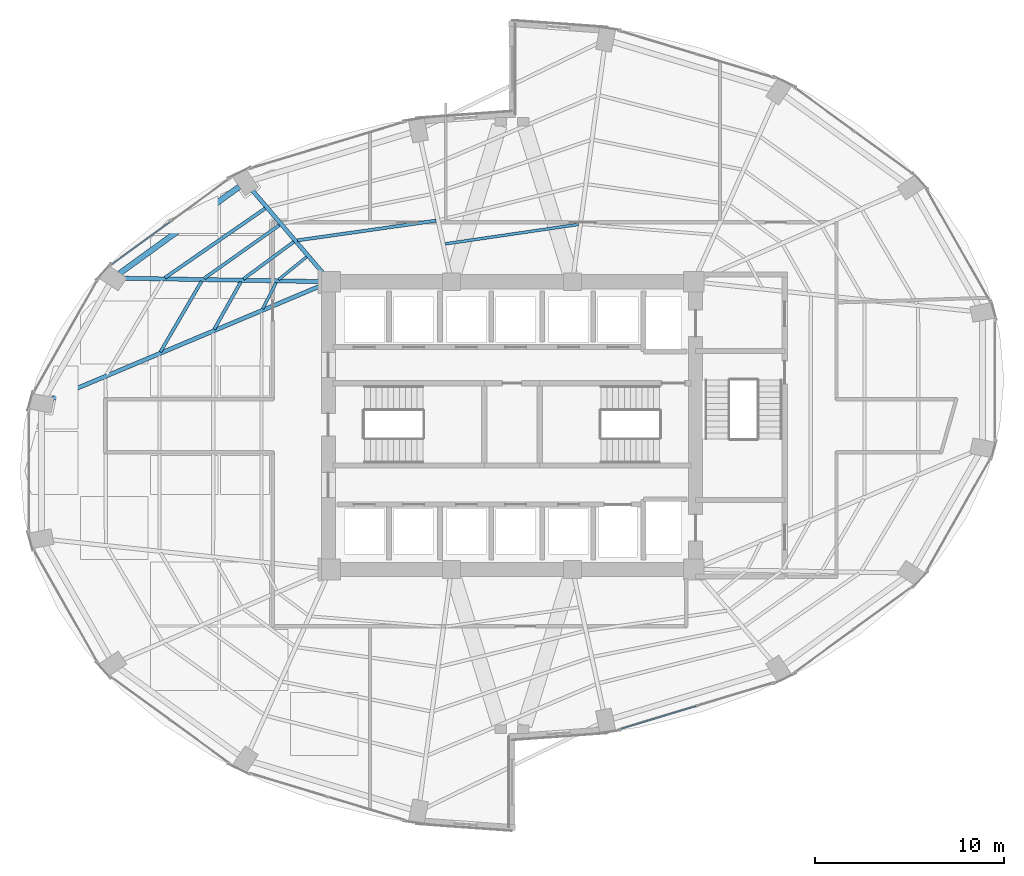
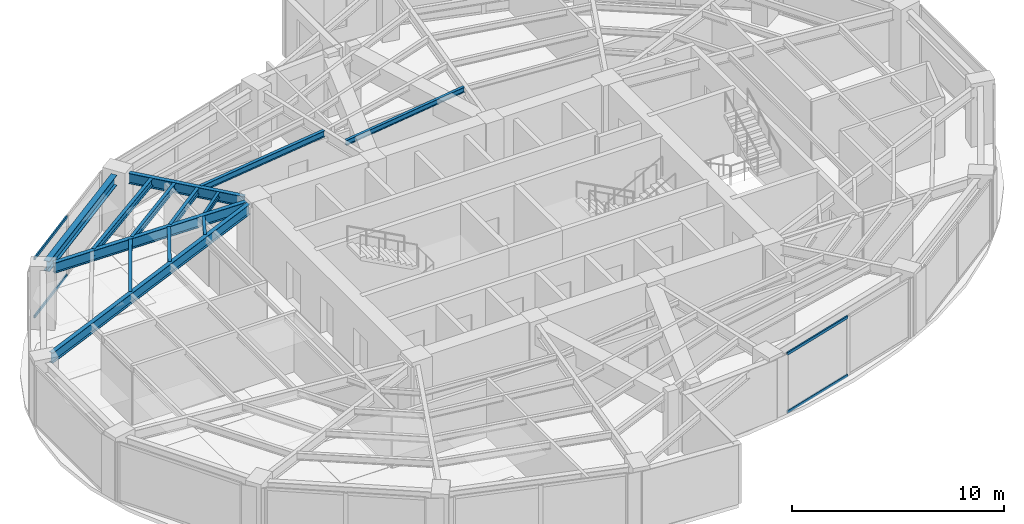
# One storey, part 9 of 23: 13 beams, 4 members, 2 elements without a shape of their own.
"""IFC4 building model written with IfcOpenShell, lengths in metres."""

from ifc_helpers import new_model, si_unit, direction, frame, origin, origin_2d, place, context, subcontext, project, spatial, hollow_rectangle, i_section, extrude, material, layer, layer_set, material_profile, profile_set, type_object, element, aggregate, save


model = new_model("IFC4")

# Units and contexts
model_context = context("Model", 3, precision=1e-05, world=origin(), true_north=direction((0.0, 1.0)))
body_context = subcontext(model_context, "Body", "Model", "MODEL_VIEW")
ifc_project = project(units=[si_unit("LENGTHUNIT", "METRE"), si_unit("AREAUNIT", "SQUARE_METRE"), si_unit("VOLUMEUNIT", "CUBIC_METRE"), si_unit("PLANEANGLEUNIT", "RADIAN"), si_unit("MASSUNIT", "GRAM", prefix="KILO")], contexts=[model_context])

# Site, building, storey
site_placement = place(None, origin())
site = spatial("IfcSite", under=ifc_project, at=site_placement, CompositionType="ELEMENT")
building_placement = place(site_placement, origin())
building = spatial("IfcBuilding", under=site, at=building_placement, Name="Lazwardi Medical Tower", CompositionType="ELEMENT")
storey_placement = place(building_placement, frame((0.0, 0.0, 121.8720703125)))
storey = spatial("IfcBuildingStorey", under=building, at=storey_placement, Name="L31", CompositionType="ELEMENT", Elevation=121.8720703125)

# Beams
ifc_material_1 = material(Name="Steel S355", Category="steel")
ifc_material_profile_1 = material_profile(ifc_material_1, i_section(OverallWidth=0.300048828125, OverallDepth=0.60009765625, WebThickness=0.015380859375, FlangeThickness=0.030029296875, at=origin_2d()), Name="HEB 600")
ifc_profile_set_1 = profile_set([ifc_material_profile_1], Name="Steel S355")
beam_type_1 = type_object("IfcBeamType", Name="BM-RB-Z2", PredefinedType="BEAM", material=ifc_profile_set_1)
beam_1_placement = place(storey_placement, frame((21.584228515625, 40.6171875, 3.1279296875), z_axis=(-0.810041907649, -0.586371987609, 0.0), x_axis=(0.586371987609, -0.810041907649, 0.0)))
element("IfcBeam", 1, at=beam_1_placement, inside=storey, type_object=beam_type_1, Name="Ring beam RB-03 B10 L31", PredefinedType="BEAM", context=body_context, shape_type="SweptSolid", body=[
    extrude(i_section(OverallWidth=0.300048828125, OverallDepth=0.60009765625, WebThickness=0.015380859375, FlangeThickness=0.030029296875, at=origin_2d()), origin(), (0.0, 0.0, 1.0), 7.814208984375),
])
ifc_material_profile_2 = material_profile(ifc_material_1, i_section(OverallWidth=0.219970703125, OverallDepth=0.60009765625, WebThickness=0.011962890625, FlangeThickness=0.01904296875, at=origin_2d()), Name="IPE 600")
ifc_profile_set_2 = profile_set([ifc_material_profile_2], Name="Steel S355")
beam_type_2 = type_object("IfcBeamType", Name="BM-RG-W1", PredefinedType="BEAM", material=ifc_profile_set_2)
beam_2_placement = place(storey_placement, frame((22.292724609375, 40.416259765625, 3.1279296875), z_axis=(0.648870567436, -0.760898801889, 0.0), x_axis=(0.760898801889, 0.648870567436, 0.0)))
element("IfcBeam", 2, at=beam_2_placement, inside=storey, type_object=beam_type_2, Name="Radial girder RG-02 R10 L31", PredefinedType="BEAM", context=body_context, shape_type="SweptSolid", body=[
    extrude(i_section(OverallWidth=0.219970703125, OverallDepth=0.60009765625, WebThickness=0.011962890625, FlangeThickness=0.01904296875, at=origin_2d()), origin(), (0.0, 0.0, 1.0), 5.794677734375),
])
beam_3_placement = place(storey_placement, frame((15.502197265625, 35.784912109375, 3.1279296875), z_axis=(0.99985616395, -0.016960289263, 0.0), x_axis=(0.016960289263, 0.99985616395, 0.0)))
element("IfcBeam", 3, at=beam_3_placement, inside=storey, type_object=beam_type_2, Name="Radial girder RG-02 R11 L31", PredefinedType="BEAM", context=body_context, shape_type="SweptSolid", body=[
    extrude(i_section(OverallWidth=0.219970703125, OverallDepth=0.60009765625, WebThickness=0.011962890625, FlangeThickness=0.01904296875, at=origin_2d()), origin(), (0.0, 0.0, 1.0), 10.3642578125),
])
beam_4_placement = place(storey_placement, frame((11.671630859375, 29.40478515625, 3.1279296875), z_axis=(0.921775176005, 0.38772480563, 0.0), x_axis=(-0.38772480563, 0.921775176005, 0.0)))
element("IfcBeam", 4, at=beam_4_placement, inside=storey, type_object=beam_type_2, Name="Radial girder RG-02 R12 L31", PredefinedType="BEAM", context=body_context, shape_type="SweptSolid", body=[
    extrude(i_section(OverallWidth=0.219970703125, OverallDepth=0.60009765625, WebThickness=0.011962890625, FlangeThickness=0.01904296875, at=origin_2d()), origin(), (0.0, 0.0, 1.0), 15.443359375),
])
ifc_material_profile_3 = material_profile(ifc_material_1, i_section(OverallWidth=0.179931640625, OverallDepth=0.39990234375, WebThickness=0.008544921875, FlangeThickness=0.013427734375, at=origin_2d()), Name="IPE 400")
ifc_profile_set_3 = profile_set([ifc_material_profile_3], Name="Steel S355")
beam_type_3 = type_object("IfcBeamType", Name="BM-SJ-01", PredefinedType="JOIST", material=ifc_profile_set_3)
beam_5_placement = place(storey_placement, frame((22.95849609375, 39.474609375, 3.22802734375), z_axis=(-0.822376339068, -0.568943896128, 0.0), x_axis=(0.568943896128, -0.822376339068, 0.0)))
element("IfcBeam", 5, at=beam_5_placement, inside=storey, type_object=beam_type_3, Name="Secondary joist SJ-01 R1 B10 L31", PredefinedType="JOIST", context=body_context, shape_type="SweptSolid", body=[
    extrude(i_section(OverallWidth=0.179931640625, OverallDepth=0.39990234375, WebThickness=0.008544921875, FlangeThickness=0.013427734375, at=origin_2d()), origin(), (0.0, 0.0, 1.0), 6.44189453125),
])
ifc_material_profile_4 = material_profile(ifc_material_1, i_section(OverallWidth=0.169921875, OverallDepth=0.360107421875, WebThickness=0.008056640625, FlangeThickness=0.0126953125, at=origin_2d()), Name="IPE 360")
ifc_profile_set_4 = profile_set([ifc_material_profile_4], Name="Steel S355")
beam_type_4 = type_object("IfcBeamType", Name="BM-SJ-02", PredefinedType="JOIST", material=ifc_profile_set_4)
beam_6_placement = place(storey_placement, frame((23.7109375, 38.591796875, 3.248046875), z_axis=(-0.816156371539, -0.577831097464, 0.0), x_axis=(0.577831097464, -0.816156371539, 0.0)))
element("IfcBeam", 6, at=beam_6_placement, inside=storey, type_object=beam_type_4, Name="Secondary joist SJ-02 R2 B10 L31", PredefinedType="JOIST", context=body_context, shape_type="SweptSolid", body=[
    extrude(i_section(OverallWidth=0.169921875, OverallDepth=0.360107421875, WebThickness=0.008056640625, FlangeThickness=0.0126953125, at=origin_2d()), origin(), (0.0, 0.0, 1.0), 4.8740234375),
])
beam_7_placement = place(storey_placement, frame((19.594482421875, 35.623779296875, 3.248046875), z_axis=(-0.503544274258, -0.86396942299, 0.0), x_axis=(0.86396942299, -0.503544274258, 0.0)))
element("IfcBeam", 7, at=beam_7_placement, inside=storey, type_object=beam_type_4, Name="Secondary joist SJ-02 R2 B11 L31", PredefinedType="JOIST", context=body_context, shape_type="SweptSolid", body=[
    extrude(i_section(OverallWidth=0.169921875, OverallDepth=0.360107421875, WebThickness=0.008056640625, FlangeThickness=0.0126953125, at=origin_2d()), origin(), (0.0, 0.0, 1.0), 4.321044921875),
])
beam_8_placement = place(storey_placement, frame((31.988525390625, 38.8271484375, 3.248046875), z_axis=(-0.990067108571, -0.140595592128, 0.0), x_axis=(0.140595592128, -0.990067108571, 0.0)))
element("IfcBeam", 8, at=beam_8_placement, inside=storey, type_object=beam_type_4, Name="Secondary joist SJ-02 R3 B09 L31", PredefinedType="JOIST", context=body_context, shape_type="SweptSolid", body=[
    extrude(i_section(OverallWidth=0.169921875, OverallDepth=0.360107421875, WebThickness=0.008056640625, FlangeThickness=0.0126953125, at=origin_2d()), origin(), (0.0, 0.0, 1.0), 7.409423828125),
])
beam_9_placement = place(storey_placement, frame((24.46435546875, 37.708251953125, 3.248046875), z_axis=(-0.804125525058, -0.594459536008, 0.0), x_axis=(0.594459536008, -0.804125525058, 0.0)))
element("IfcBeam", 9, at=beam_9_placement, inside=storey, type_object=beam_type_4, Name="Secondary joist SJ-02 R3 B10 L31", PredefinedType="JOIST", context=body_context, shape_type="SweptSolid", body=[
    extrude(i_section(OverallWidth=0.169921875, OverallDepth=0.360107421875, WebThickness=0.008056640625, FlangeThickness=0.0126953125, at=origin_2d()), origin(), (0.0, 0.0, 1.0), 3.30810546875),
])
beam_10_placement = place(storey_placement, frame((21.66845703125, 35.587890625, 3.248046875), z_axis=(-0.489860824278, -0.871800649711, 0.0), x_axis=(0.871800649711, -0.489860824278, 0.0)))
element("IfcBeam", 10, at=beam_10_placement, inside=storey, type_object=beam_type_4, Name="Secondary joist SJ-02 R3 B11 L31", PredefinedType="JOIST", context=body_context, shape_type="SweptSolid", body=[
    extrude(i_section(OverallWidth=0.169921875, OverallDepth=0.360107421875, WebThickness=0.008056640625, FlangeThickness=0.0126953125, at=origin_2d()), origin(), (0.0, 0.0, 1.0), 2.8662109375),
])
ifc_material_profile_5 = material_profile(ifc_material_1, i_section(OverallWidth=0.14990234375, OverallDepth=0.300048828125, WebThickness=0.007080078125, FlangeThickness=0.0107421875, at=origin_2d()), Name="IPE 300")
ifc_profile_set_5 = profile_set([ifc_material_profile_5], Name="Steel S355")
beam_type_5 = type_object("IfcBeamType", Name="BM-SJ-03", PredefinedType="JOIST", material=ifc_profile_set_5)
beam_11_placement = place(storey_placement, frame((39.511474609375, 38.62939453125, 3.27783203125), z_axis=(-0.98949221477, -0.144586157392, 0.0), x_axis=(0.144586157392, -0.98949221477, 0.0)))
element("IfcBeam", 11, at=beam_11_placement, inside=storey, type_object=beam_type_5, Name="Secondary joist SJ-03 R4 B08 L31", PredefinedType="JOIST", context=body_context, shape_type="SweptSolid", body=[
    extrude(i_section(OverallWidth=0.14990234375, OverallDepth=0.300048828125, WebThickness=0.007080078125, FlangeThickness=0.0107421875, at=origin_2d()), origin(), (0.0, 0.0, 1.0), 7.115478515625),
])
beam_12_placement = place(storey_placement, frame((25.14404296875, 36.910888671875, 3.27783203125), z_axis=(-0.77695773322, -0.629552762515, 0.0), x_axis=(0.629552762515, -0.77695773322, 0.0)))
element("IfcBeam", 12, at=beam_12_placement, inside=storey, type_object=beam_type_5, Name="Secondary joist SJ-03 R4 B10 L31", PredefinedType="JOIST", context=body_context, shape_type="SweptSolid", body=[
    extrude(i_section(OverallWidth=0.14990234375, OverallDepth=0.300048828125, WebThickness=0.007080078125, FlangeThickness=0.0107421875, at=origin_2d()), origin(), (0.0, 0.0, 1.0), 1.9013671875),
])
beam_13_placement = place(storey_placement, frame((23.537109375, 35.554443359375, 3.27783203125), z_axis=(-0.457956589674, -0.888974556427, 0.0), x_axis=(0.888974556427, -0.457956589674, 0.0)))
element("IfcBeam", 13, at=beam_13_placement, inside=storey, type_object=beam_type_5, Name="Secondary joist SJ-03 R4 B11 L31", PredefinedType="JOIST", context=body_context, shape_type="SweptSolid", body=[
    extrude(i_section(OverallWidth=0.14990234375, OverallDepth=0.300048828125, WebThickness=0.007080078125, FlangeThickness=0.0107421875, at=origin_2d()), origin(), (0.0, 0.0, 1.0), 1.558837890625),
])

# Curtain wall, members
ifc_material_2 = material(Name="Anodised bronze aluminium and solar control glazing", Category="aluminium")
ifc_layer = layer(ifc_material_2, 0.195068359375)
ifc_layer_set = layer_set([ifc_layer], Name="Anodised bronze aluminium and solar control glazing")
curtain_wall_type = type_object("IfcCurtainWallType", Name="CW-SYS-03", PredefinedType="NOTDEFINED", material=ifc_layer_set)
curtain_wall_1_placement = place(storey_placement, origin())
curtain_wall_1 = element("IfcCurtainWall", 14, at=curtain_wall_1_placement, inside=storey, type_object=curtain_wall_type, Name="L31 Unitised bronze curtain wall CW-03", PredefinedType="NOTDEFINED")
ifc_material_3 = material(Name="Anodised bronze aluminium", Category="aluminium")
ifc_material_profile_6 = material_profile(ifc_material_3, hollow_rectangle(XDim=0.074951171875, YDim=0.159912109375, WallThickness=0.00390625, at=origin_2d()), Name="ALU-TRANSOM 160x75x4")
ifc_profile_set_6 = profile_set([ifc_material_profile_6], Name="Anodised bronze aluminium")
member_type = type_object("IfcMemberType", Name="CW-TRN-01", PredefinedType="USERDEFINED", material=ifc_profile_set_6)
member_1_placement = place(storey_placement, frame((41.74609375, 11.970703125, 0.037353515625), z_axis=(0.957220865985, 0.289358279168, 0.0), x_axis=(-0.289358279168, 0.957220865985, 0.0)))
member_1 = element("IfcMember", 15, at=member_1_placement, type_object=member_type, Name="CW-03 transom 1.1", ObjectType="TRANSOM", PredefinedType="USERDEFINED", context=body_context, shape_type="SweptSolid", body=[
    extrude(hollow_rectangle(XDim=0.074951171875, YDim=0.159912109375, WallThickness=0.00390625, at=origin_2d()), origin(), (0.0, 0.0, 1.0), 4.16552734375),
])
member_2_placement = place(storey_placement, frame((41.74609375, 11.970703125, 3.390380859375), z_axis=(0.957220865985, 0.289358279168, 0.0), x_axis=(-0.289358279168, 0.957220865985, 0.0)))
member_2 = element("IfcMember", 16, at=member_2_placement, type_object=member_type, Name="CW-03 transom 1.2", ObjectType="TRANSOM", PredefinedType="USERDEFINED", context=body_context, shape_type="SweptSolid", body=[
    extrude(hollow_rectangle(XDim=0.074951171875, YDim=0.159912109375, WallThickness=0.00390625, at=origin_2d()), origin(), (0.0, 0.0, 1.0), 4.16552734375),
])
aggregate(curtain_wall_1, [member_1, member_2])

curtain_wall_2_placement = place(storey_placement, origin())
curtain_wall_2 = element("IfcCurtainWall", 17, at=curtain_wall_2_placement, inside=storey, type_object=curtain_wall_type, Name="L31 Unitised bronze curtain wall CW-03", PredefinedType="NOTDEFINED")
member_3_placement = place(storey_placement, frame((17.918701171875, 38.752197265625, 0.037353515625), z_axis=(-0.807731734271, -0.589550206049, 0.0), x_axis=(0.589550206049, -0.807731734271, 0.0)))
member_3 = element("IfcMember", 18, at=member_3_placement, type_object=member_type, Name="CW-03 transom 2.1", ObjectType="TRANSOM", PredefinedType="USERDEFINED", context=body_context, shape_type="SweptSolid", body=[
    extrude(hollow_rectangle(XDim=0.074951171875, YDim=0.159912109375, WallThickness=0.00390625, at=origin_2d()), origin(), (0.0, 0.0, 1.0), 3.767578125),
])
member_4_placement = place(storey_placement, frame((17.918701171875, 38.752197265625, 3.390380859375), z_axis=(-0.807731734271, -0.589550206049, 0.0), x_axis=(0.589550206049, -0.807731734271, 0.0)))
member_4 = element("IfcMember", 19, at=member_4_placement, type_object=member_type, Name="CW-03 transom 2.2", ObjectType="TRANSOM", PredefinedType="USERDEFINED", context=body_context, shape_type="SweptSolid", body=[
    extrude(hollow_rectangle(XDim=0.074951171875, YDim=0.159912109375, WallThickness=0.00390625, at=origin_2d()), origin(), (0.0, 0.0, 1.0), 3.767578125),
])
aggregate(curtain_wall_2, [member_3, member_4])

save(model, "model.ifc")
